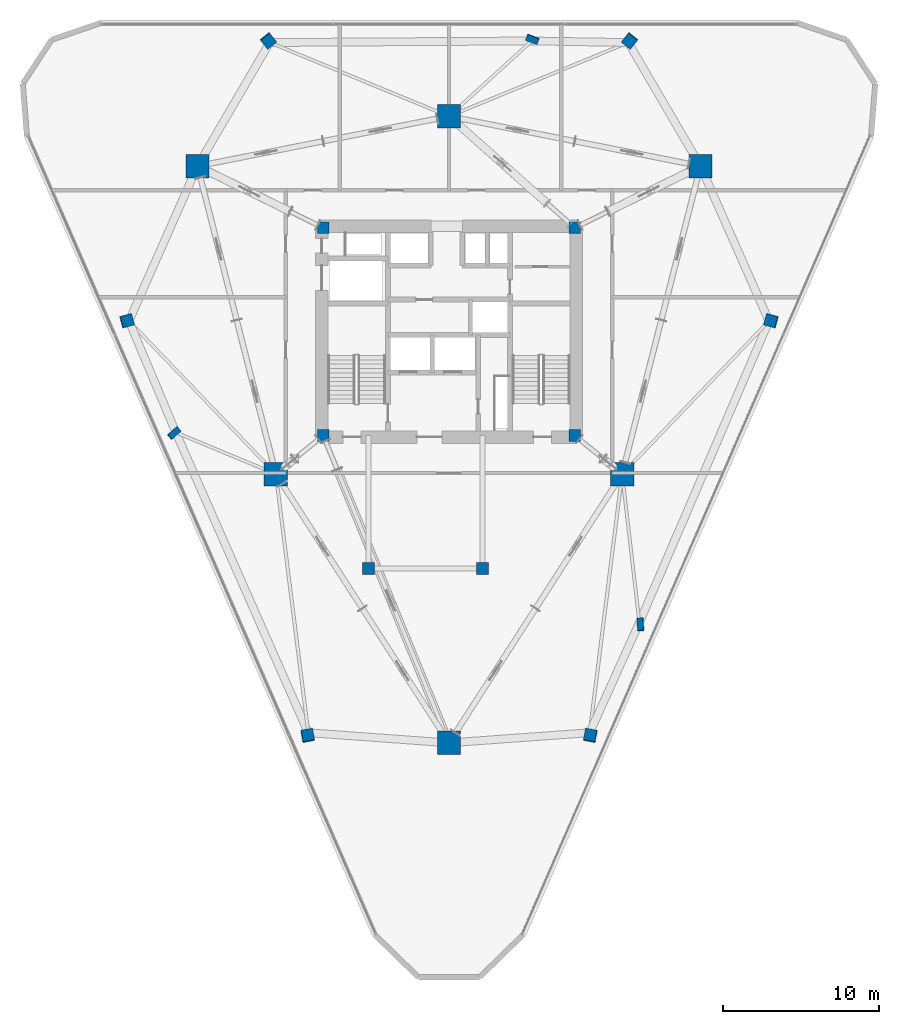
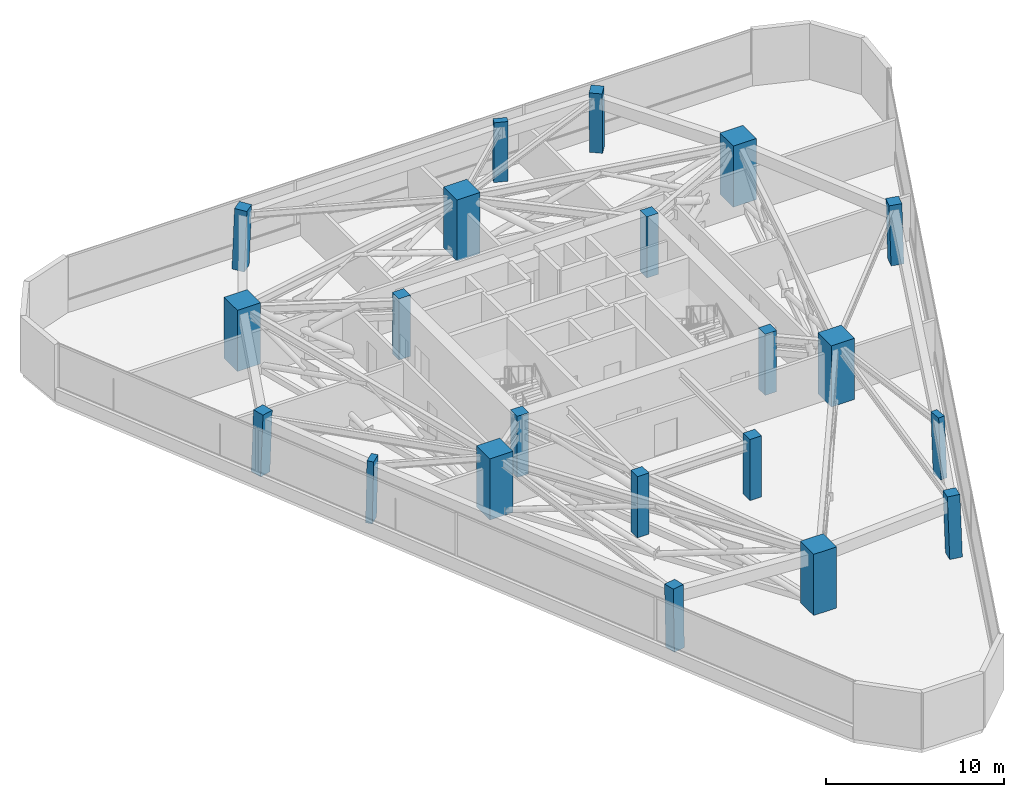
# One storey, part 1 of 13: 21 columns.
"""IFC4 building model written with IfcOpenShell, lengths in metres."""

from ifc_helpers import new_model, si_unit, direction, frame, origin, origin_2d, place, context, subcontext, project, spatial, rectangle, extrude, material, material_profile, profile_set, type_object, element, save


model = new_model("IFC4")

# Units and contexts
model_context = context("Model", 3, precision=1e-05, world=origin(), true_north=direction((0.0, 1.0)))
body_context = subcontext(model_context, "Body", "Model", "MODEL_VIEW")
ifc_project = project(units=[si_unit("LENGTHUNIT", "METRE"), si_unit("AREAUNIT", "SQUARE_METRE"), si_unit("VOLUMEUNIT", "CUBIC_METRE"), si_unit("PLANEANGLEUNIT", "RADIAN"), si_unit("MASSUNIT", "GRAM", prefix="KILO")], contexts=[model_context])

# Site, building, storey
site_placement = place(None, origin())
site = spatial("IfcSite", under=ifc_project, at=site_placement, CompositionType="ELEMENT")
building_placement = place(site_placement, origin())
building = spatial("IfcBuilding", under=site, at=building_placement, Name="Talyreon Biosciences Tower", CompositionType="ELEMENT")
storey_placement = place(building_placement, frame((0.0, 0.0, 171.0)))
storey = spatial("IfcBuildingStorey", under=building, at=storey_placement, Name="L45", CompositionType="ELEMENT", Elevation=171.0)

# Columns
ifc_material_1 = material(Name="Precast concrete C45/55", Category="concrete")
ifc_material_profile_1 = material_profile(ifc_material_1, rectangle(XDim=0.800048828125, YDim=0.39990234375, at=origin_2d()), Name="RC 800x400")
ifc_profile_set_1 = profile_set([ifc_material_profile_1], Name="Precast concrete C45/55")
column_type_1 = type_object("IfcColumnType", Name="FacadePilaster_800x400", PredefinedType="PILASTER", material=ifc_profile_set_1)
column_1_placement = place(storey_placement, frame((78.26416015625, 49.238037109375, 0.0029296875), z_axis=(-0.01704378489, 0.033273190979, 0.999300957749), x_axis=(0.062310880419, -0.997468086762, 0.034274919005)))
element("IfcColumn", 1, at=column_1_placement, inside=storey, type_object=column_type_1, Name="L45 Facade Pilaster PL-SE", PredefinedType="PILASTER", context=body_context, shape_type="SweptSolid", body=[
    extrude(rectangle(XDim=0.800048828125, YDim=0.39990234375, at=origin_2d()), origin(), (0.0, 0.0, 1.0), 4.197021484375),
])
column_2_placement = place(storey_placement, frame((71.3427734375, 86.735595703125, 0.0029296875), z_axis=(-0.010763780112, -0.0290912976, 0.999518802946), x_axis=(-0.937861842681, 0.347008881792, 0.0)))
element("IfcColumn", 2, at=column_2_placement, inside=storey, type_object=column_type_1, Name="L45 Facade Pilaster PL-N", PredefinedType="PILASTER", context=body_context, shape_type="SweptSolid", body=[
    extrude(rectangle(XDim=0.800048828125, YDim=0.39990234375, at=origin_2d()), origin(), (0.0, 0.0, 1.0), 4.196044921875),
])
column_3_placement = place(storey_placement, frame((48.39306640625, 61.50537109375, 0.0029296875), z_axis=(0.027812744233, 0.00913514821, 0.999571408317), x_axis=(0.746069036429, 0.665327459975, -0.026839595473)))
element("IfcColumn", 3, at=column_3_placement, inside=storey, type_object=column_type_1, Name="L45 Facade Pilaster PL-SW", PredefinedType="PILASTER", context=body_context, shape_type="SweptSolid", body=[
    extrude(rectangle(XDim=0.800048828125, YDim=0.39990234375, at=origin_2d()), origin(), (0.0, 0.0, 1.0), 4.19580078125),
])
ifc_material_2 = material(Name="Concrete C60/75", Category="concrete")
ifc_material_profile_2 = material_profile(ifc_material_2, rectangle(XDim=1.5, YDim=1.5, at=origin_2d()), Name="RC 1500x1500")
ifc_profile_set_2 = profile_set([ifc_material_profile_2], Name="Concrete C60/75")
column_type_2 = type_object("IfcColumnType", Name="MegaColumn_1500", PredefinedType="COLUMN", material=ifc_profile_set_2)
for number, where, z_axis, x_axis, name in (
    (4, (66.0, 41.6669921875, 0.0), (0.0, 0.0, 1.0), (1.0, 0.0, 0.0), "L45 Composite Mega-Column MC1"),
    (5, (82.102294921875, 78.5986328125, 0.0), (0.0, 0.0, 1.0), (1.0, 0.0, 0.0), "L45 Composite Mega-Column MC2"),
    (6, (49.897705078125, 78.5986328125, 0.0), (0.0, 0.0, 1.0), (1.0, 0.0, 0.0), "L45 Composite Mega-Column MC3"),
    (7, (77.086181640625, 58.88037109375, 0.0), (0.0, 0.0, 1.0), (1.0, 0.0, 0.0), "L45 Composite Mega-Column MC4"),
    (8, (66.0, 81.788818359375, 0.0), (0.0, 0.0, 1.0), (1.0, 0.0, 0.0), "L45 Composite Mega-Column MC5"),
    (9, (54.913818359375, 58.88037109375, 0.0), (0.0, 0.0, 1.0), (1.0, 0.0, 0.0), "L45 Composite Mega-Column MC6"),
):
    element("IfcColumn", number, at=place(storey_placement, frame(where, z_axis=z_axis, x_axis=x_axis)), inside=storey, type_object=column_type_2, Name=name, PredefinedType="COLUMN", context=body_context, shape_type="SweptSolid", body=[
        extrude(rectangle(XDim=1.5, YDim=1.5, at=origin_2d()), origin(), (0.0, 0.0, 1.0), 4.199951171875),
    ])
ifc_material_3 = material(Name="Concrete C50/60", Category="concrete")
ifc_material_profile_3 = material_profile(ifc_material_3, rectangle(XDim=0.75, YDim=0.75, at=origin_2d()), Name="RC 750x750")
ifc_profile_set_3 = profile_set([ifc_material_profile_3], Name="Concrete C50/60")
column_type_3 = type_object("IfcColumnType", Name="PerimeterColumn_750", PredefinedType="COLUMN", material=ifc_profile_set_3)
for number, where, z_axis, x_axis, name in (
    (10, (57.949951171875, 61.35009765625, 0.0), (0.0, 0.0, 1.0), (1.0, 0.0, 0.0), "L45 Core Column CC1"),
    (11, (74.050048828125, 61.35009765625, 0.0), (0.0, 0.0, 1.0), (1.0, 0.0, 0.0), "L45 Core Column CC2"),
    (12, (74.050048828125, 74.64990234375, 0.0), (0.0, 0.0, 1.0), (1.0, 0.0, 0.0), "L45 Core Column CC3"),
    (13, (57.949951171875, 74.64990234375, 0.0), (0.0, 0.0, 1.0), (1.0, 0.0, 0.0), "L45 Core Column CC4"),
    (14, (60.85009765625, 52.840087890625, 0.0), (0.0, 0.0, 1.0), (1.0, 0.0, 0.0), "L45 Core Column CSW"),
    (15, (68.14990234375, 52.840087890625, 0.0), (0.0, 0.0, 1.0), (1.0, 0.0, 0.0), "L45 Core Column CSE"),
):
    element("IfcColumn", number, at=place(storey_placement, frame(where, z_axis=z_axis, x_axis=x_axis)), inside=storey, type_object=column_type_3, Name=name, PredefinedType="COLUMN", context=body_context, shape_type="SweptSolid", body=[
        extrude(rectangle(XDim=0.75, YDim=0.75, at=origin_2d()), origin(), (0.0, 0.0, 1.0), 4.199951171875),
    ])
column_4_placement = place(storey_placement, frame((75.055908203125, 42.1220703125, 0.0029296875), z_axis=(-0.010756270952, 0.047327592189, 0.998821506403), x_axis=(-0.186415977282, -0.981462709438, 0.044497566196)))
element("IfcColumn", 16, at=column_4_placement, inside=storey, type_object=column_type_3, Name="L45 Tapering Perimeter Column PC-SE1", PredefinedType="COLUMN", context=body_context, shape_type="SweptSolid", body=[
    extrude(rectangle(XDim=0.75, YDim=0.75, at=origin_2d()), origin(), (0.0, 0.0, 1.0), 4.198974609375),
])
column_5_placement = place(storey_placement, frame((86.6318359375, 68.701171875, 0.0029296875), z_axis=(-0.034091179507, -0.004886790236, 0.999406779425), x_axis=(0.963665761211, -0.265238224303, 0.031575069866)))
element("IfcColumn", 17, at=column_5_placement, inside=storey, type_object=column_type_3, Name="L45 Tapering Perimeter Column PC-SE2", PredefinedType="COLUMN", context=body_context, shape_type="SweptSolid", body=[
    extrude(rectangle(XDim=0.75, YDim=0.75, at=origin_2d()), origin(), (0.0, 0.0, 1.0), 4.196533203125),
])
for number, where, z_axis, x_axis, name in (
    (18, (77.575927734375, 86.6357421875, 0.0029296875), (-0.023326184215, -0.02914318776, 0.999303038991), (-0.780716755404, 0.624885067698, 0.0), "L45 Tapering Perimeter Column PC-N1"),
    (19, (54.424072265625, 86.6357421875, 0.0029296875), (0.023326184215, -0.02914318776, 0.999303038991), (-0.780716755404, -0.624885067698, 0.0), "L45 Tapering Perimeter Column PC-N2"),
):
    element("IfcColumn", number, at=place(storey_placement, frame(where, z_axis=z_axis, x_axis=x_axis)), inside=storey, type_object=column_type_3, Name=name, PredefinedType="COLUMN", context=body_context, shape_type="SweptSolid", body=[
        extrude(rectangle(XDim=0.75, YDim=0.75, at=origin_2d()), origin(), (0.0, 0.0, 1.0), 4.197021484375),
    ])
column_6_placement = place(storey_placement, frame((45.3681640625, 68.701171875, 0.0029296875), z_axis=(0.034091179507, -0.004886790236, 0.999406779425), x_axis=(0.963665761211, 0.265238224303, -0.031575069866)))
element("IfcColumn", 20, at=column_6_placement, inside=storey, type_object=column_type_3, Name="L45 Tapering Perimeter Column PC-SW1", PredefinedType="COLUMN", context=body_context, shape_type="SweptSolid", body=[
    extrude(rectangle(XDim=0.75, YDim=0.75, at=origin_2d()), origin(), (0.0, 0.0, 1.0), 4.196533203125),
])
column_7_placement = place(storey_placement, frame((56.944091796875, 42.1220703125, 0.0029296875), z_axis=(0.010756270952, 0.047327592189, 0.998821506403), x_axis=(-0.186415977282, 0.981462709438, -0.044497566196)))
element("IfcColumn", 21, at=column_7_placement, inside=storey, type_object=column_type_3, Name="L45 Tapering Perimeter Column PC-SW2", PredefinedType="COLUMN", context=body_context, shape_type="SweptSolid", body=[
    extrude(rectangle(XDim=0.75, YDim=0.75, at=origin_2d()), origin(), (0.0, 0.0, 1.0), 4.198974609375),
])

save(model, "model.ifc")
